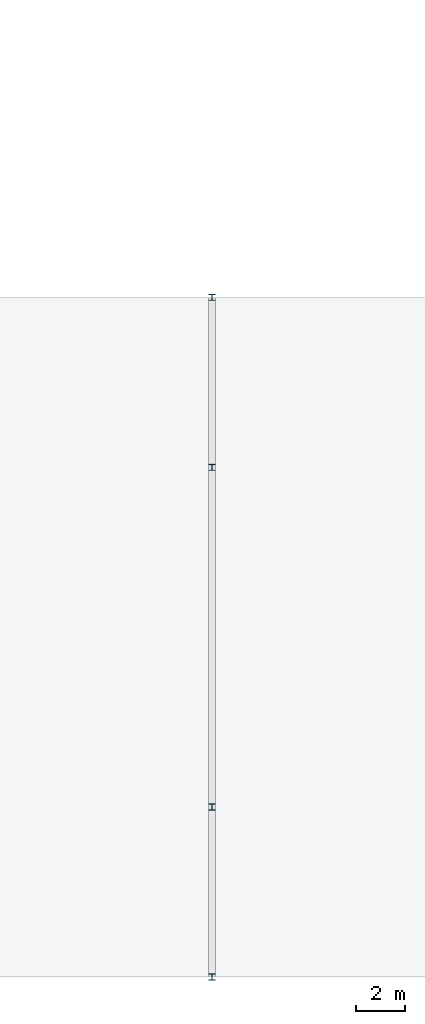
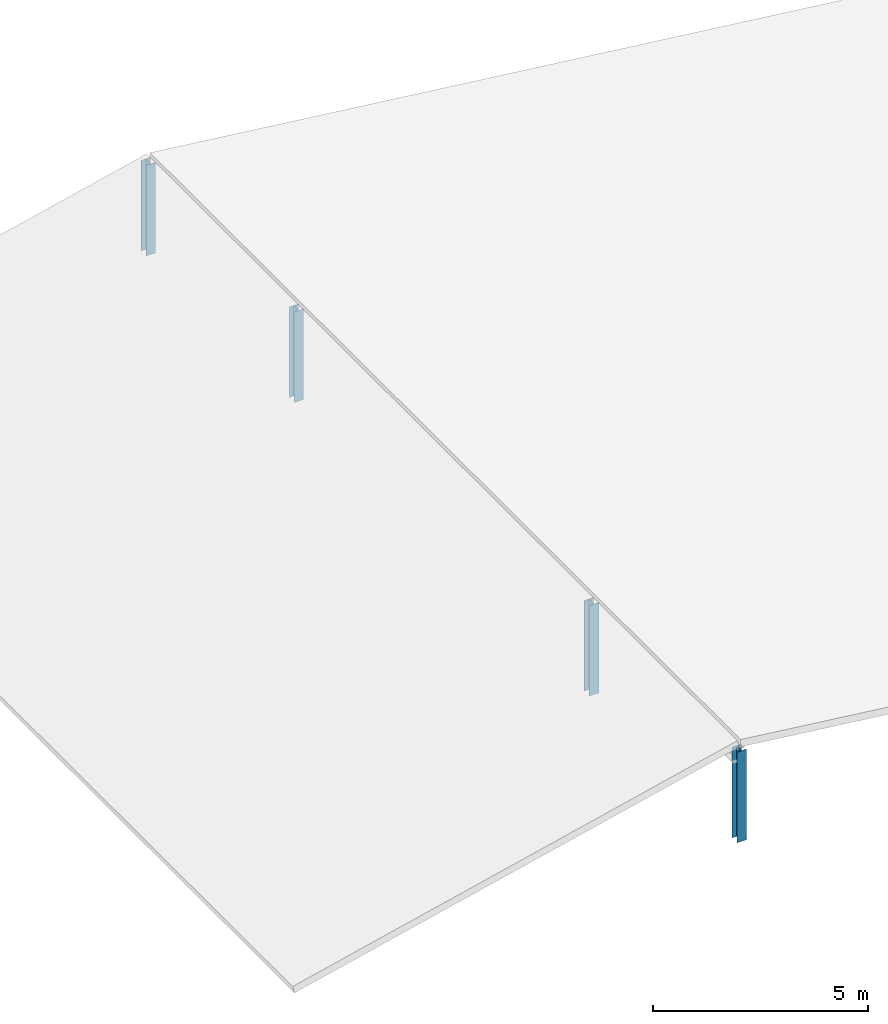
# One storey, part 8 of 91: 4 columns.
"""IFC4 building model written with IfcOpenShell, lengths in metres."""

from ifc_helpers import new_model, si_unit, direction, frame, origin, origin_2d, place, context, subcontext, project, spatial, i_section, extrude, material, material_profile, profile_set, type_object, element, save


model = new_model("IFC4")

# Units and contexts
model_context = context("Model", 3, precision=1e-05, world=origin(), true_north=direction((0.0, 1.0)))
body_context = subcontext(model_context, "Body", "Model", "MODEL_VIEW")
ifc_project = project(units=[si_unit("LENGTHUNIT", "METRE"), si_unit("AREAUNIT", "SQUARE_METRE"), si_unit("VOLUMEUNIT", "CUBIC_METRE"), si_unit("PLANEANGLEUNIT", "RADIAN"), si_unit("MASSUNIT", "GRAM", prefix="KILO")], contexts=[model_context])

# Site, building, storey
site_placement = place(None, origin())
site = spatial("IfcSite", under=ifc_project, at=site_placement, CompositionType="ELEMENT")
building_placement = place(site_placement, origin())
building = spatial("IfcBuilding", under=site, at=building_placement, Name="Linyun Crest Stadium", CompositionType="ELEMENT")
storey_placement = place(building_placement, frame((0.0, 0.0, 11.39990234375)))
storey = spatial("IfcBuildingStorey", under=building, at=storey_placement, Name="L03", CompositionType="ELEMENT", Elevation=11.39990234375)

# Columns
ifc_material = material(Name="Steel Q355C", Category="steel")
ifc_material_profile = material_profile(ifc_material, i_section(OverallWidth=0.25, OverallDepth=0.25, WebThickness=0.009033203125, FlangeThickness=0.013916015625, at=origin_2d()), Name="HW 250x250")
ifc_profile_set = profile_set([ifc_material_profile], Name="Steel Q355C")
column_type = type_object("IfcColumnType", Name="SC07", PredefinedType="COLUMN", material=ifc_profile_set)
for number, where, z_axis, x_axis, name in (
    (1, (70.0, -94.125, 0.0), (0.0, 0.0, 1.0), (1.0, 0.0, 0.0), "Pavilion ridge post SC07 SE 75"),
    (2, (70.0, -87.25, 0.0), (0.0, 0.0, 1.0), (1.0, 0.0, 0.0), "Pavilion ridge post SC07 SE 76"),
    (3, (70.0, -73.5, 0.0), (0.0, 0.0, 1.0), (1.0, 0.0, 0.0), "Pavilion ridge post SC07 SE 77"),
    (4, (70.0, -66.625, 0.0), (0.0, 0.0, 1.0), (1.0, 0.0, 0.0), "Pavilion ridge post SC07 SE 78"),
):
    element("IfcColumn", number, at=place(storey_placement, frame(where, z_axis=z_axis, x_axis=x_axis)), inside=storey, type_object=column_type, Name=name, PredefinedType="COLUMN", context=body_context, shape_type="SweptSolid", body=[
        extrude(i_section(OverallWidth=0.25, OverallDepth=0.25, WebThickness=0.009033203125, FlangeThickness=0.013916015625, at=origin_2d()), origin(), (0.0, 0.0, 1.0), 2.570068359375),
    ])

save(model, "model.ifc")
